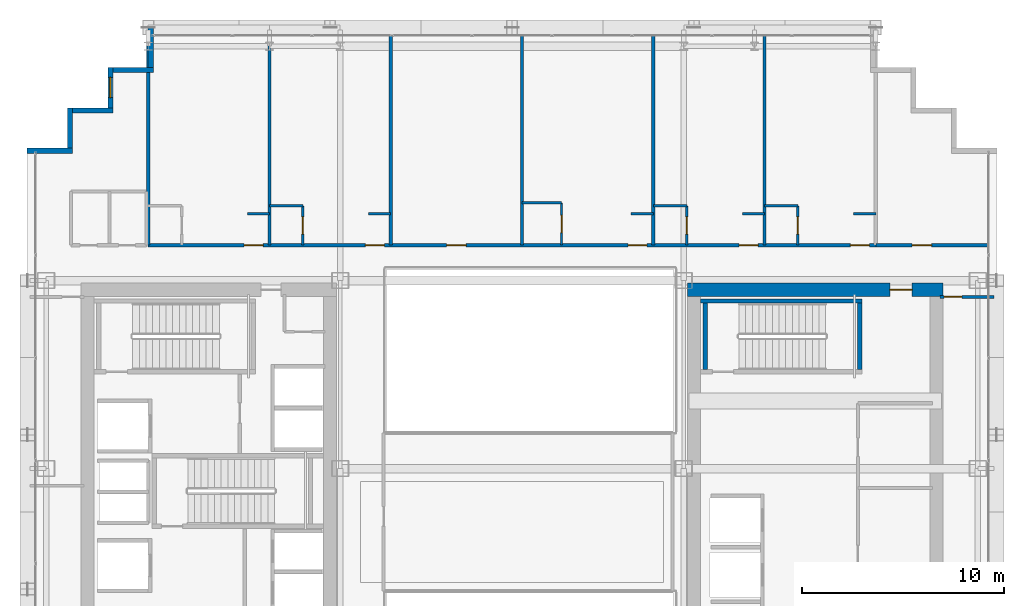
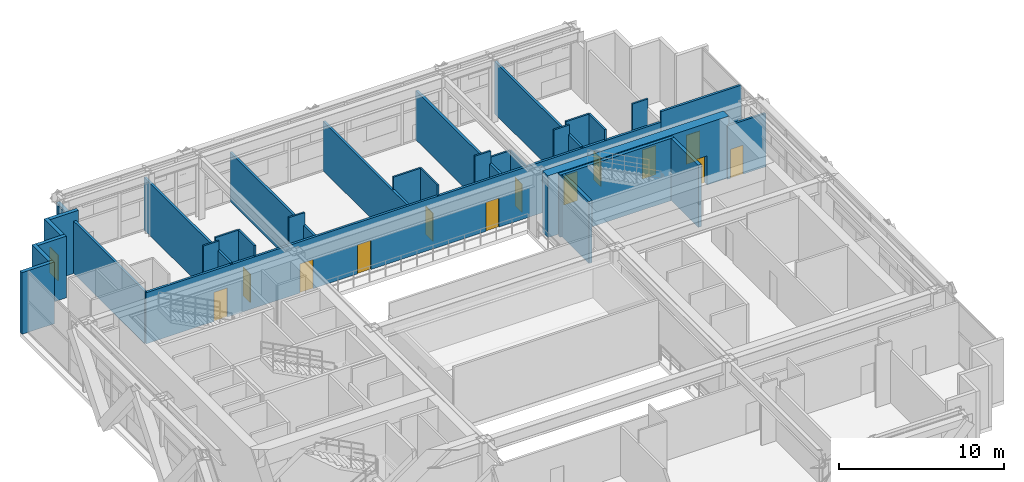
# One storey, part 33 of 38: 32 walls, 13 doors, 1 window, 14 openings.
"""IFC4 building model written with IfcOpenShell, lengths in metres."""

from ifc_helpers import new_model, si_unit, direction, frame, frame_2d, origin, place, context, subcontext, project, spatial, rectangle, extrude, source, transform, mapped, material, layer, layer_set, type_object, element, fill, save


model = new_model("IFC4")

# Units and contexts
model_context = context("Model", 3, precision=1e-05, world=origin(), true_north=direction((0.0, 1.0)))
body_context = subcontext(model_context, "Body", "Model", "MODEL_VIEW")
ifc_project = project(units=[si_unit("LENGTHUNIT", "METRE"), si_unit("AREAUNIT", "SQUARE_METRE"), si_unit("VOLUMEUNIT", "CUBIC_METRE"), si_unit("PLANEANGLEUNIT", "RADIAN"), si_unit("MASSUNIT", "GRAM", prefix="KILO")], contexts=[model_context])

# Site, building, storey
site_placement = place(None, origin())
site = spatial("IfcSite", under=ifc_project, at=site_placement, CompositionType="ELEMENT")
building_placement = place(site_placement, origin())
building = spatial("IfcBuilding", under=site, at=building_placement, Name="Ocotamira Hotel", CompositionType="ELEMENT")
storey_placement = place(building_placement, frame((0.0, 0.0, 92.39990234375)))
storey = spatial("IfcBuildingStorey", under=building, at=storey_placement, Name="L22", CompositionType="ELEMENT", Elevation=92.39990234375)

# Wall, opening, door
ifc_material_1 = material(Name="Concrete C60/75", Category="concrete")
ifc_layer_1 = layer(ifc_material_1, 0.64990234375)
ifc_layer_set_1 = layer_set([ifc_layer_1], Name="Concrete C60/75")
wall_type_1 = type_object("IfcWallType", Name="WL-CORE-650", PredefinedType="SHEAR", material=ifc_layer_set_1)
wall_1_placement = place(storey_placement, frame((40.675048828125, 37.0, 0.0), z_axis=(0.0, 0.0, 1.0), x_axis=(1.0, 0.0, 0.0)))
wall_1 = element("IfcWall", 1, at=wall_1_placement, inside=storey, type_object=wall_type_1, Name="L22 Shear Core Wall ECORE-N", PredefinedType="SHEAR", context=body_context, shape_type="SweptSolid", body=[
    extrude(rectangle(XDim=12.64990234375, YDim=0.64990234375, at=frame_2d((6.324951171875, 0.0))), origin(), (0.0, 0.0, 1.0), 4.56005859375),
])
opening_1_placement = place(wall_1_placement, frame((10.02490234375, 0.0, 0.0)))
opening_1 = element("IfcOpeningElement", 2, at=opening_1_placement, cuts=wall_1, Name="Opening D-FR1", PredefinedType="OPENING", context=body_context, shape_type="SweptSolid", body=[
    extrude(rectangle(XDim=1.10009765625, YDim=2.14990234375, at=frame_2d((0.550048828125, 1.074951171875))), frame((0.0, 0.3349609375, 0.0), z_axis=(0.0, -1.0, 0.0), x_axis=(1.0, 0.0, 0.0)), (0.0, 0.0, 1.0), 0.669921875),
])
ifc_material_2 = material(Name="Fire-rated acoustic timber-veneer door", Category="wood")
door_type_1 = type_object("IfcDoorType", Name="DR-FIRE-1100", OperationType="NOTDEFINED", PredefinedType="DOOR", material=ifc_material_2)
shared_shape_1 = source(origin(), body_context, "Body", "SweptSolid", [
    extrude(rectangle(XDim=1.10009765625, YDim=2.14990234375, at=frame_2d((0.550048828125, 1.074951171875))), frame((0.0, 0.02490234375, 0.0), z_axis=(0.0, -1.0, 0.0), x_axis=(1.0, 0.0, 0.0)), (0.0, 0.0, 1.0), 0.050048828125),
])
door_1_placement = place(opening_1_placement, origin())
door_1 = element("IfcDoor", 3, at=door_1_placement, inside=storey, type_object=door_type_1, Name="L22 Door ID-L22-ELOB-N-D [ID-L22-ELOB-N-D]", OperationType="SINGLE_SWING_LEFT", OverallHeight=2.14990234375, OverallWidth=1.10009765625, PredefinedType="DOOR", context=body_context, shape_type="MappedRepresentation", body=[
    mapped(shared_shape_1, transform((0.0, 0.0, 0.0), scale=1.0)),
])
fill(opening_1, door_1)

# Walls
ifc_material_3 = material(Name="Precast concrete C45/55", Category="concrete")
ifc_layer_2 = layer(ifc_material_3, 0.25)
ifc_layer_set_2 = layer_set([ifc_layer_2], Name="Precast concrete C45/55")
wall_type_2 = type_object("IfcWallType", Name="WL-EXT-SER-250", PredefinedType="SOLIDWALL", material=ifc_layer_set_2)
wall_2_placement = place(storey_placement, frame((14.125, 50.0, 0.0), z_axis=(0.0, 0.0, 1.0), x_axis=(0.0, -1.0, 0.0)))
element("IfcWall", 4, at=wall_2_placement, inside=storey, type_object=wall_type_2, Name="L22 Serrated Corner Wall 13", PredefinedType="SOLIDWALL", context=body_context, shape_type="SweptSolid", body=[
    extrude(rectangle(XDim=2.0, YDim=0.25, at=frame_2d((1.0, 0.0))), origin(), (0.0, 0.0, 1.0), 3.8671875),
])
wall_3_placement = place(storey_placement, frame((14.25, 47.875, 0.0), z_axis=(0.0, 0.0, 1.0), x_axis=(-1.0, 0.0, 0.0)))
element("IfcWall", 5, at=wall_3_placement, inside=storey, type_object=wall_type_2, Name="L22 Serrated Corner Wall 14", PredefinedType="SOLIDWALL", context=body_context, shape_type="SweptSolid", body=[
    extrude(rectangle(XDim=2.0, YDim=0.25, at=frame_2d((1.0, 0.0))), origin(), (0.0, 0.0, 1.0), 4.56005859375),
])

# Wall, opening, window
wall_4_placement = place(storey_placement, frame((12.125, 48.0, 0.0), z_axis=(0.0, 0.0, 1.0), x_axis=(0.0, -1.0, 0.0)))
wall_4 = element("IfcWall", 6, at=wall_4_placement, inside=storey, type_object=wall_type_2, Name="L22 Serrated Corner Wall 15", PredefinedType="SOLIDWALL", context=body_context, shape_type="SweptSolid", body=[
    extrude(rectangle(XDim=2.0, YDim=0.25, at=frame_2d((1.0, 0.0))), origin(), (0.0, 0.0, 1.0), 4.56005859375),
])
opening_2_placement = place(wall_4_placement, frame((0.5, 0.0, 0.85009765625)))
opening_2 = element("IfcOpeningElement", 7, at=opening_2_placement, cuts=wall_4, Name="Opening WN-2", PredefinedType="OPENING", context=body_context, shape_type="SweptSolid", body=[
    extrude(rectangle(XDim=1.0, YDim=1.89990234375, at=frame_2d((0.5, 0.949951171875))), frame((0.0, 0.135009765625, 0.0), z_axis=(0.0, -1.0, 0.0), x_axis=(1.0, 0.0, 0.0)), (0.0, 0.0, 1.0), 0.27001953125),
])
ifc_material_4 = material(Name="Double-silver low-E solar glass", Category="glass")
window_type = type_object("IfcWindowType", Name="WIN-SER-1100", PartitioningType="SINGLE_PANEL", PredefinedType="WINDOW", material=ifc_material_4)
shared_shape_2 = source(origin(), body_context, "Body", "SweptSolid", [
    extrude(rectangle(XDim=1.0, YDim=1.89990234375, at=frame_2d((0.5, 0.949951171875))), frame((0.0, 0.030029296875, 0.0), z_axis=(0.0, -1.0, 0.0), x_axis=(1.0, 0.0, 0.0)), (0.0, 0.0, 1.0), 0.06005859375),
])
window_placement = place(opening_2_placement, origin())
window = element("IfcWindow", 8, at=window_placement, inside=storey, type_object=window_type, Name="L22 Serrated Corner Window 15", OverallHeight=1.89990234375, OverallWidth=1.0, PartitioningType="SINGLE_PANEL", PredefinedType="WINDOW", context=body_context, shape_type="MappedRepresentation", body=[
    mapped(shared_shape_2, transform((0.0, 0.0, 0.0), scale=1.0)),
])
fill(opening_2, window)

# Walls
for number, where, z_axis, x_axis, name in (
    (9, (12.25, 45.875, 0.0), (0.0, 0.0, 1.0), (-1.0, 0.0, 0.0), "L22 Serrated Corner Wall 16"),
    (10, (10.125, 46.0, 0.0), (0.0, 0.0, 1.0), (0.0, -1.0, 0.0), "L22 Serrated Corner Wall 17"),
):
    element("IfcWall", number, at=place(storey_placement, frame(where, z_axis=z_axis, x_axis=x_axis)), inside=storey, type_object=wall_type_2, Name=name, PredefinedType="SOLIDWALL", context=body_context, shape_type="SweptSolid", body=[
        extrude(rectangle(XDim=2.0, YDim=0.25, at=frame_2d((1.0, 0.0))), origin(), (0.0, 0.0, 1.0), 4.56005859375),
    ])
wall_5_placement = place(storey_placement, frame((10.25, 43.875, 0.0), z_axis=(0.0, 0.0, 1.0), x_axis=(-1.0, 0.0, 0.0)))
element("IfcWall", 11, at=wall_5_placement, inside=storey, type_object=wall_type_2, Name="L22 Serrated Corner Wall 18", PredefinedType="SOLIDWALL", context=body_context, shape_type="SweptSolid", body=[
    extrude(rectangle(XDim=2.25, YDim=0.25, at=frame_2d((1.125, 0.0))), origin(), (0.0, 0.0, 1.0), 4.56005859375),
])

# Wall, openings, doors
ifc_material_5 = material(Name="Acoustic double-layer fire gypsum board partition", Category="gypsum")
ifc_layer_3 = layer(ifc_material_5, 0.159912109375)
ifc_layer_set_3 = layer_set([ifc_layer_3], Name="Acoustic double-layer fire gypsum board partition")
wall_type_3 = type_object("IfcWallType", Name="WL-FIRE-160", PredefinedType="PARTITIONING", material=ifc_layer_set_3)
wall_6_placement = place(storey_placement, frame((14.0, 39.199951171875, 0.0), z_axis=(0.0, 0.0, 1.0), x_axis=(1.0, 0.0, 0.0)))
wall_6 = element("IfcWall", 12, at=wall_6_placement, inside=storey, type_object=wall_type_3, Name="L22 Interior Wall PW-L22-L22N-CORRW", PredefinedType="PARTITIONING", context=body_context, shape_type="SweptSolid", body=[
    extrude(rectangle(XDim=36.0, YDim=0.159912109375, at=frame_2d((18.0, 0.0))), origin(), (0.0, 0.0, 1.0), 3.781005859375),
])
opening_3_placement = place(wall_6_placement, frame((4.739990234375, 0.0, 0.0)))
opening_3 = element("IfcOpeningElement", 13, at=opening_3_placement, cuts=wall_6, Name="Opening D-GR1", PredefinedType="OPENING", context=body_context, shape_type="SweptSolid", body=[
    extrude(rectangle(XDim=0.93994140625, YDim=2.14990234375, at=frame_2d((0.469970703125, 1.074951171875))), frame((0.0, 0.08984375, 0.0), z_axis=(0.0, -1.0, 0.0), x_axis=(1.0, 0.0, 0.0)), (0.0, 0.0, 1.0), 0.179931640625),
])
opening_4_placement = place(wall_6_placement, frame((10.739990234375, 0.0, 0.0)))
opening_4 = element("IfcOpeningElement", 14, at=opening_4_placement, cuts=wall_6, Name="Opening D-GR1", PredefinedType="OPENING", context=body_context, shape_type="SweptSolid", body=[
    extrude(rectangle(XDim=0.93994140625, YDim=2.14990234375, at=frame_2d((0.469970703125, 1.074951171875))), frame((0.0, 0.08984375, 0.0), z_axis=(0.0, -1.0, 0.0), x_axis=(1.0, 0.0, 0.0)), (0.0, 0.0, 1.0), 0.179931640625),
])
opening_5_placement = place(wall_6_placement, frame((14.77001953125, 0.0, 0.0)))
opening_5 = element("IfcOpeningElement", 15, at=opening_5_placement, cuts=wall_6, Name="Opening D-SV4", PredefinedType="OPENING", context=body_context, shape_type="SweptSolid", body=[
    extrude(rectangle(XDim=0.9599609375, YDim=2.14990234375, at=frame_2d((0.47998046875, 1.074951171875))), frame((0.0, 0.08984375, 0.0), z_axis=(0.0, -1.0, 0.0), x_axis=(1.0, 0.0, 0.0)), (0.0, 0.0, 1.0), 0.179931640625),
])
opening_6_placement = place(wall_6_placement, frame((23.739990234375, 0.0, 0.0)))
opening_6 = element("IfcOpeningElement", 16, at=opening_6_placement, cuts=wall_6, Name="Opening D-GR1", PredefinedType="OPENING", context=body_context, shape_type="SweptSolid", body=[
    extrude(rectangle(XDim=0.93994140625, YDim=2.14990234375, at=frame_2d((0.469970703125, 1.074951171875))), frame((0.0, 0.08984375, 0.0), z_axis=(0.0, -1.0, 0.0), x_axis=(1.0, 0.0, 0.0)), (0.0, 0.0, 1.0), 0.179931640625),
])
opening_7_placement = place(wall_6_placement, frame((29.239990234375, 0.0, 0.0)))
opening_7 = element("IfcOpeningElement", 17, at=opening_7_placement, cuts=wall_6, Name="Opening D-GR1", PredefinedType="OPENING", context=body_context, shape_type="SweptSolid", body=[
    extrude(rectangle(XDim=0.93994140625, YDim=2.14990234375, at=frame_2d((0.469970703125, 1.074951171875))), frame((0.0, 0.08984375, 0.0), z_axis=(0.0, -1.0, 0.0), x_axis=(1.0, 0.0, 0.0)), (0.0, 0.0, 1.0), 0.179931640625),
])
opening_8_placement = place(wall_6_placement, frame((34.739990234375, 0.0, 0.0)))
opening_8 = element("IfcOpeningElement", 18, at=opening_8_placement, cuts=wall_6, Name="Opening D-GR1", PredefinedType="OPENING", context=body_context, shape_type="SweptSolid", body=[
    extrude(rectangle(XDim=0.93994140625, YDim=2.14990234375, at=frame_2d((0.469970703125, 1.074951171875))), frame((0.0, 0.08984375, 0.0), z_axis=(0.0, -1.0, 0.0), x_axis=(1.0, 0.0, 0.0)), (0.0, 0.0, 1.0), 0.179931640625),
])
ifc_material_6 = material(Name="Fire-rated accessible walnut salon door", Category="wood")
door_type_2 = type_object("IfcDoorType", Name="DR-SERV-960", OperationType="NOTDEFINED", PredefinedType="DOOR", material=ifc_material_6)
shared_shape_3 = source(origin(), body_context, "Body", "SweptSolid", [
    extrude(rectangle(XDim=0.9599609375, YDim=2.14990234375, at=frame_2d((0.47998046875, 1.074951171875))), frame((0.0, 0.02490234375, 0.0), z_axis=(0.0, -1.0, 0.0), x_axis=(1.0, 0.0, 0.0)), (0.0, 0.0, 1.0), 0.050048828125),
])
door_2_placement = place(opening_5_placement, origin())
door_2 = element("IfcDoor", 19, at=door_2_placement, inside=storey, type_object=door_type_2, Name="L22 Door ID-L22-L22N-AMD3 [ID-L22-L22N-AMD3]", OperationType="SINGLE_SWING_LEFT", OverallHeight=2.14990234375, OverallWidth=0.9599609375, PredefinedType="DOOR", context=body_context, shape_type="MappedRepresentation", body=[
    mapped(shared_shape_3, transform((0.0, 0.0, 0.0), scale=1.0)),
])
fill(opening_5, door_2)
ifc_material_7 = material(Name="Solid-core walnut suite entrance fire door", Category="wood")
door_type_3 = type_object("IfcDoorType", Name="DR-GUEST-940", OperationType="NOTDEFINED", PredefinedType="DOOR", material=ifc_material_7)
shared_shape_4 = source(origin(), body_context, "Body", "SweptSolid", [
    extrude(rectangle(XDim=0.93994140625, YDim=2.14990234375, at=frame_2d((0.469970703125, 1.074951171875))), frame((0.0, 0.02490234375, 0.0), z_axis=(0.0, -1.0, 0.0), x_axis=(1.0, 0.0, 0.0)), (0.0, 0.0, 1.0), 0.050048828125),
])
door_3_placement = place(opening_3_placement, origin())
door_3 = element("IfcDoor", 20, at=door_3_placement, inside=storey, type_object=door_type_3, Name="L22 Door ID-L22-L22N-RMD1 [ID-L22-L22N-RMD1]", OperationType="SINGLE_SWING_LEFT", OverallHeight=2.14990234375, OverallWidth=0.93994140625, PredefinedType="DOOR", context=body_context, shape_type="MappedRepresentation", body=[
    mapped(shared_shape_4, transform((0.0, 0.0, 0.0), scale=1.0)),
])
fill(opening_3, door_3)
door_4_placement = place(opening_4_placement, origin())
door_4 = element("IfcDoor", 21, at=door_4_placement, inside=storey, type_object=door_type_3, Name="L22 Door ID-L22-L22N-RMD2 [ID-L22-L22N-RMD2]", OperationType="SINGLE_SWING_RIGHT", OverallHeight=2.14990234375, OverallWidth=0.93994140625, PredefinedType="DOOR", context=body_context, shape_type="MappedRepresentation", body=[
    mapped(shared_shape_4, transform((0.0, 0.0, 0.0), scale=1.0)),
])
fill(opening_4, door_4)
door_5_placement = place(opening_6_placement, origin())
door_5 = element("IfcDoor", 22, at=door_5_placement, inside=storey, type_object=door_type_3, Name="L22 Door ID-L22-L22N-RMD4 [ID-L22-L22N-RMD4]", OperationType="SINGLE_SWING_RIGHT", OverallHeight=2.14990234375, OverallWidth=0.93994140625, PredefinedType="DOOR", context=body_context, shape_type="MappedRepresentation", body=[
    mapped(shared_shape_4, transform((0.0, 0.0, 0.0), scale=1.0)),
])
fill(opening_6, door_5)
door_6_placement = place(opening_7_placement, origin())
door_6 = element("IfcDoor", 23, at=door_6_placement, inside=storey, type_object=door_type_3, Name="L22 Door ID-L22-L22N-RMD5 [ID-L22-L22N-RMD5]", OperationType="SINGLE_SWING_LEFT", OverallHeight=2.14990234375, OverallWidth=0.93994140625, PredefinedType="DOOR", context=body_context, shape_type="MappedRepresentation", body=[
    mapped(shared_shape_4, transform((0.0, 0.0, 0.0), scale=1.0)),
])
fill(opening_7, door_6)
door_7_placement = place(opening_8_placement, origin())
door_7 = element("IfcDoor", 24, at=door_7_placement, inside=storey, type_object=door_type_3, Name="L22 Door ID-L22-L22N-RMD6 [ID-L22-L22N-RMD6]", OperationType="SINGLE_SWING_RIGHT", OverallHeight=2.14990234375, OverallWidth=0.93994140625, PredefinedType="DOOR", context=body_context, shape_type="MappedRepresentation", body=[
    mapped(shared_shape_4, transform((0.0, 0.0, 0.0), scale=1.0)),
])
fill(opening_8, door_7)

# Wall, opening, door
wall_7_placement = place(storey_placement, frame((50.0, 39.199951171875, 0.0), z_axis=(0.0, 0.0, 1.0), x_axis=(1.0, 0.0, 0.0)))
wall_7 = element("IfcWall", 25, at=wall_7_placement, inside=storey, type_object=wall_type_3, Name="L22 Interior Wall PW-L22-L22-CNESW", PredefinedType="PARTITIONING", context=body_context, shape_type="SweptSolid", body=[
    extrude(rectangle(XDim=5.6201171875, YDim=0.159912109375, at=frame_2d((2.81005859375, 0.0))), origin(), (0.0, 0.0, 1.0), 4.56005859375),
])
opening_9_placement = place(wall_7_placement, frame((1.800048828125, 0.0, 0.0)))
opening_9 = element("IfcOpeningElement", 26, at=opening_9_placement, cuts=wall_7, Name="Opening D-SV4", PredefinedType="OPENING", context=body_context, shape_type="SweptSolid", body=[
    extrude(rectangle(XDim=0.9599609375, YDim=2.14990234375, at=frame_2d((0.47998046875, 1.074951171875))), frame((0.0, 0.08984375, 0.0), z_axis=(0.0, -1.0, 0.0), x_axis=(1.0, 0.0, 0.0)), (0.0, 0.0, 1.0), 0.179931640625),
])
door_8_placement = place(opening_9_placement, origin())
door_8 = element("IfcDoor", 27, at=door_8_placement, inside=storey, type_object=door_type_2, Name="L22 Door ID-L22-L22-CNESD [ID-L22-L22-CNESD]", OperationType="SINGLE_SWING_LEFT", OverallHeight=2.14990234375, OverallWidth=0.9599609375, PredefinedType="DOOR", context=body_context, shape_type="MappedRepresentation", body=[
    mapped(shared_shape_3, transform((0.0, 0.0, 0.0), scale=1.0)),
])
fill(opening_9, door_8)

# Wall
ifc_material_8 = material(Name="Moisture-resistant en-suite tile and gypsum partition", Category="gypsum")
ifc_layer_4 = layer(ifc_material_8, 0.1201171875)
ifc_layer_set_4 = layer_set([ifc_layer_4], Name="Moisture-resistant en-suite tile and gypsum partition")
wall_type_4 = type_object("IfcWallType", Name="WL-PART-120", PredefinedType="PARTITIONING", material=ifc_layer_set_4)
wall_8_placement = place(storey_placement, frame((18.89990234375, 40.75, 0.0), z_axis=(0.0, 0.0, 1.0), x_axis=(1.0, 0.0, 0.0)))
element("IfcWall", 28, at=wall_8_placement, inside=storey, type_object=wall_type_4, Name="L22 Interior Wall PW-L22-L22N-DRN1", PredefinedType="PARTITIONING", context=body_context, shape_type="SweptSolid", body=[
    extrude(rectangle(XDim=1.10009765625, YDim=0.1201171875, at=frame_2d((0.550048828125, 0.0))), origin(), (0.0, 0.0, 1.0), 4.56005859375),
])

# Wall, opening, door
wall_9_placement = place(storey_placement, frame((21.64990234375, 39.199951171875, 0.0), z_axis=(0.0, 0.0, 1.0), x_axis=(0.0, 1.0, 0.0)))
wall_9 = element("IfcWall", 29, at=wall_9_placement, inside=storey, type_object=wall_type_4, Name="L22 Interior Wall PW-L22-L22N-BAE2", PredefinedType="PARTITIONING", context=body_context, shape_type="SweptSolid", body=[
    extrude(rectangle(XDim=1.949951171875, YDim=0.1201171875, at=frame_2d((0.97509765625, 0.0))), origin(), (0.0, 0.0, 1.0), 4.56005859375),
])
opening_10_placement = place(wall_9_placement, frame((0.544921875, 0.0, 0.0)))
opening_10 = element("IfcOpeningElement", 30, at=opening_10_placement, cuts=wall_9, Name="Opening D-BA1", PredefinedType="OPENING", context=body_context, shape_type="SweptSolid", body=[
    extrude(rectangle(XDim=0.860107421875, YDim=2.10009765625, at=frame_2d((0.43017578125, 1.050048828125))), frame((0.0, 0.070068359375, 0.0), z_axis=(0.0, -1.0, 0.0), x_axis=(1.0, 0.0, 0.0)), (0.0, 0.0, 1.0), 0.14013671875),
])
ifc_material_9 = material(Name="Moisture-sealed en-suite timber door", Category="wood")
door_type_4 = type_object("IfcDoorType", Name="DR-BATH-860", OperationType="NOTDEFINED", PredefinedType="DOOR", material=ifc_material_9)
shared_shape_5 = source(origin(), body_context, "Body", "SweptSolid", [
    extrude(rectangle(XDim=0.860107421875, YDim=2.10009765625, at=frame_2d((0.43017578125, 1.050048828125))), frame((0.0, 0.02490234375, 0.0), z_axis=(0.0, -1.0, 0.0), x_axis=(1.0, 0.0, 0.0)), (0.0, 0.0, 1.0), 0.050048828125),
])
door_9_placement = place(opening_10_placement, origin())
door_9 = element("IfcDoor", 31, at=door_9_placement, inside=storey, type_object=door_type_4, Name="L22 Door ID-L22-L22N-BAD2 [ID-L22-L22N-BAD2]", OperationType="SINGLE_SWING_LEFT", OverallHeight=2.10009765625, OverallWidth=0.860107421875, PredefinedType="DOOR", context=body_context, shape_type="MappedRepresentation", body=[
    mapped(shared_shape_5, transform((0.0, 0.0, 0.0), scale=1.0)),
])
fill(opening_10, door_9)

# Walls
wall_10_placement = place(storey_placement, frame((20.0, 41.14990234375, 0.0), z_axis=(0.0, 0.0, 1.0), x_axis=(1.0, 0.0, 0.0)))
element("IfcWall", 32, at=wall_10_placement, inside=storey, type_object=wall_type_4, Name="L22 Interior Wall PW-L22-L22N-BAN2", PredefinedType="PARTITIONING", context=body_context, shape_type="SweptSolid", body=[
    extrude(rectangle(XDim=1.64990234375, YDim=0.1201171875, at=frame_2d((0.824951171875, 0.0))), origin(), (0.0, 0.0, 1.0), 4.56005859375),
])
wall_11_placement = place(storey_placement, frame((24.89990234375, 40.75, 0.0), z_axis=(0.0, 0.0, 1.0), x_axis=(1.0, 0.0, 0.0)))
element("IfcWall", 33, at=wall_11_placement, inside=storey, type_object=wall_type_4, Name="L22 Interior Wall PW-L22-L22N-DRN2", PredefinedType="PARTITIONING", context=body_context, shape_type="SweptSolid", body=[
    extrude(rectangle(XDim=1.10009765625, YDim=0.1201171875, at=frame_2d((0.550048828125, 0.0))), origin(), (0.0, 0.0, 1.0), 4.56005859375),
])

# Wall, opening, door
wall_12_placement = place(storey_placement, frame((34.449951171875, 39.199951171875, 0.0), z_axis=(0.0, 0.0, 1.0), x_axis=(0.0, 1.0, 0.0)))
wall_12 = element("IfcWall", 34, at=wall_12_placement, inside=storey, type_object=wall_type_4, Name="L22 Interior Wall PW-L22-L22N-BAE4", PredefinedType="PARTITIONING", context=body_context, shape_type="SweptSolid", body=[
    extrude(rectangle(XDim=2.10009765625, YDim=0.1201171875, at=frame_2d((1.050048828125, 0.0))), origin(), (0.0, 0.0, 1.0), 4.56005859375),
])
opening_11_placement = place(wall_12_placement, frame((0.6201171875, 0.0, 0.0)))
opening_11 = element("IfcOpeningElement", 35, at=opening_11_placement, cuts=wall_12, Name="Opening D-BA1", PredefinedType="OPENING", context=body_context, shape_type="SweptSolid", body=[
    extrude(rectangle(XDim=0.860107421875, YDim=2.10009765625, at=frame_2d((0.43017578125, 1.050048828125))), frame((0.0, 0.070068359375, 0.0), z_axis=(0.0, -1.0, 0.0), x_axis=(1.0, 0.0, 0.0)), (0.0, 0.0, 1.0), 0.14013671875),
])
door_10_placement = place(opening_11_placement, origin())
door_10 = element("IfcDoor", 36, at=door_10_placement, inside=storey, type_object=door_type_4, Name="L22 Door ID-L22-L22N-BAD4 [ID-L22-L22N-BAD4]", OperationType="SINGLE_SWING_LEFT", OverallHeight=2.10009765625, OverallWidth=0.860107421875, PredefinedType="DOOR", context=body_context, shape_type="MappedRepresentation", body=[
    mapped(shared_shape_5, transform((0.0, 0.0, 0.0), scale=1.0)),
])
fill(opening_11, door_10)

# Walls
wall_13_placement = place(storey_placement, frame((32.5, 41.300048828125, 0.0), z_axis=(0.0, 0.0, 1.0), x_axis=(1.0, 0.0, 0.0)))
element("IfcWall", 37, at=wall_13_placement, inside=storey, type_object=wall_type_4, Name="L22 Interior Wall PW-L22-L22N-BAN4", PredefinedType="PARTITIONING", context=body_context, shape_type="SweptSolid", body=[
    extrude(rectangle(XDim=1.949951171875, YDim=0.1201171875, at=frame_2d((0.97509765625, 0.0))), origin(), (0.0, 0.0, 1.0), 4.56005859375),
])
wall_14_placement = place(storey_placement, frame((37.89990234375, 40.75, 0.0), z_axis=(0.0, 0.0, 1.0), x_axis=(1.0, 0.0, 0.0)))
element("IfcWall", 38, at=wall_14_placement, inside=storey, type_object=wall_type_4, Name="L22 Interior Wall PW-L22-L22N-DRN4", PredefinedType="PARTITIONING", context=body_context, shape_type="SweptSolid", body=[
    extrude(rectangle(XDim=1.10009765625, YDim=0.1201171875, at=frame_2d((0.550048828125, 0.0))), origin(), (0.0, 0.0, 1.0), 4.56005859375),
])

# Wall, opening, door
wall_15_placement = place(storey_placement, frame((40.64990234375, 39.199951171875, 0.0), z_axis=(0.0, 0.0, 1.0), x_axis=(0.0, 1.0, 0.0)))
wall_15 = element("IfcWall", 39, at=wall_15_placement, inside=storey, type_object=wall_type_4, Name="L22 Interior Wall PW-L22-L22N-BAE5", PredefinedType="PARTITIONING", context=body_context, shape_type="SweptSolid", body=[
    extrude(rectangle(XDim=1.949951171875, YDim=0.1201171875, at=frame_2d((0.97509765625, 0.0))), origin(), (0.0, 0.0, 1.0), 3.781005859375),
])
opening_12_placement = place(wall_15_placement, frame((0.544921875, 0.0, 0.0)))
opening_12 = element("IfcOpeningElement", 40, at=opening_12_placement, cuts=wall_15, Name="Opening D-BA1", PredefinedType="OPENING", context=body_context, shape_type="SweptSolid", body=[
    extrude(rectangle(XDim=0.860107421875, YDim=2.10009765625, at=frame_2d((0.43017578125, 1.050048828125))), frame((0.0, 0.070068359375, 0.0), z_axis=(0.0, -1.0, 0.0), x_axis=(1.0, 0.0, 0.0)), (0.0, 0.0, 1.0), 0.14013671875),
])
door_11_placement = place(opening_12_placement, origin())
door_11 = element("IfcDoor", 41, at=door_11_placement, inside=storey, type_object=door_type_4, Name="L22 Door ID-L22-L22N-BAD5 [ID-L22-L22N-BAD5]", OperationType="SINGLE_SWING_RIGHT", OverallHeight=2.10009765625, OverallWidth=0.860107421875, PredefinedType="DOOR", context=body_context, shape_type="MappedRepresentation", body=[
    mapped(shared_shape_5, transform((0.0, 0.0, 0.0), scale=1.0)),
])
fill(opening_12, door_11)

# Walls
wall_16_placement = place(storey_placement, frame((39.0, 41.14990234375, 0.0), z_axis=(0.0, 0.0, 1.0), x_axis=(1.0, 0.0, 0.0)))
element("IfcWall", 42, at=wall_16_placement, inside=storey, type_object=wall_type_4, Name="L22 Interior Wall PW-L22-L22N-BAN5", PredefinedType="PARTITIONING", context=body_context, shape_type="SweptSolid", body=[
    extrude(rectangle(XDim=1.64990234375, YDim=0.1201171875, at=frame_2d((0.824951171875, 0.0))), origin(), (0.0, 0.0, 1.0), 3.781005859375),
])
wall_17_placement = place(storey_placement, frame((43.39990234375, 40.75, 0.0), z_axis=(0.0, 0.0, 1.0), x_axis=(1.0, 0.0, 0.0)))
element("IfcWall", 43, at=wall_17_placement, inside=storey, type_object=wall_type_4, Name="L22 Interior Wall PW-L22-L22N-DRN5", PredefinedType="PARTITIONING", context=body_context, shape_type="SweptSolid", body=[
    extrude(rectangle(XDim=1.10009765625, YDim=0.1201171875, at=frame_2d((0.550048828125, 0.0))), origin(), (0.0, 0.0, 1.0), 4.56005859375),
])

# Wall, opening, door
wall_18_placement = place(storey_placement, frame((46.14990234375, 39.199951171875, 0.0), z_axis=(0.0, 0.0, 1.0), x_axis=(0.0, 1.0, 0.0)))
wall_18 = element("IfcWall", 44, at=wall_18_placement, inside=storey, type_object=wall_type_4, Name="L22 Interior Wall PW-L22-L22N-BAE6", PredefinedType="PARTITIONING", context=body_context, shape_type="SweptSolid", body=[
    extrude(rectangle(XDim=1.949951171875, YDim=0.1201171875, at=frame_2d((0.97509765625, 0.0))), origin(), (0.0, 0.0, 1.0), 4.56005859375),
])
opening_13_placement = place(wall_18_placement, frame((0.544921875, 0.0, 0.0)))
opening_13 = element("IfcOpeningElement", 45, at=opening_13_placement, cuts=wall_18, Name="Opening D-BA1", PredefinedType="OPENING", context=body_context, shape_type="SweptSolid", body=[
    extrude(rectangle(XDim=0.860107421875, YDim=2.10009765625, at=frame_2d((0.43017578125, 1.050048828125))), frame((0.0, 0.070068359375, 0.0), z_axis=(0.0, -1.0, 0.0), x_axis=(1.0, 0.0, 0.0)), (0.0, 0.0, 1.0), 0.14013671875),
])
door_12_placement = place(opening_13_placement, origin())
door_12 = element("IfcDoor", 46, at=door_12_placement, inside=storey, type_object=door_type_4, Name="L22 Door ID-L22-L22N-BAD6 [ID-L22-L22N-BAD6]", OperationType="SINGLE_SWING_LEFT", OverallHeight=2.10009765625, OverallWidth=0.860107421875, PredefinedType="DOOR", context=body_context, shape_type="MappedRepresentation", body=[
    mapped(shared_shape_5, transform((0.0, 0.0, 0.0), scale=1.0)),
])
fill(opening_13, door_12)

# Walls
wall_19_placement = place(storey_placement, frame((44.5, 41.14990234375, 0.0), z_axis=(0.0, 0.0, 1.0), x_axis=(1.0, 0.0, 0.0)))
element("IfcWall", 47, at=wall_19_placement, inside=storey, type_object=wall_type_4, Name="L22 Interior Wall PW-L22-L22N-BAN6", PredefinedType="PARTITIONING", context=body_context, shape_type="SweptSolid", body=[
    extrude(rectangle(XDim=1.64990234375, YDim=0.1201171875, at=frame_2d((0.824951171875, 0.0))), origin(), (0.0, 0.0, 1.0), 4.56005859375),
])
wall_20_placement = place(storey_placement, frame((48.89990234375, 40.75, 0.0), z_axis=(0.0, 0.0, 1.0), x_axis=(1.0, 0.0, 0.0)))
element("IfcWall", 48, at=wall_20_placement, inside=storey, type_object=wall_type_4, Name="L22 Interior Wall PW-L22-L22N-DRN6", PredefinedType="PARTITIONING", context=body_context, shape_type="SweptSolid", body=[
    extrude(rectangle(XDim=1.10009765625, YDim=0.1201171875, at=frame_2d((0.550048828125, 0.0))), origin(), (0.0, 0.0, 1.0), 4.56005859375),
])

# Wall, opening, door
ifc_material_10 = material(Name="Acoustic hospitality gypsum board partition", Category="gypsum")
ifc_layer_5 = layer(ifc_material_10, 0.14990234375)
ifc_layer_set_5 = layer_set([ifc_layer_5], Name="Acoustic hospitality gypsum board partition")
wall_type_5 = type_object("IfcWallType", Name="WL-PART-150", PredefinedType="PARTITIONING", material=ifc_layer_set_5)
wall_21_placement = place(storey_placement, frame((53.179931640625, 36.639892578125, 0.0), z_axis=(0.0, 0.0, 1.0), x_axis=(1.0, 0.0, 0.0)))
wall_21 = element("IfcWall", 49, at=wall_21_placement, inside=storey, type_object=wall_type_5, Name="L22 Interior Wall PW-L22-L22E-WN", PredefinedType="PARTITIONING", context=body_context, shape_type="SweptSolid", body=[
    extrude(rectangle(XDim=2.66015625, YDim=0.14990234375, at=frame_2d((1.330078125, 0.0))), origin(), (0.0, 0.0, 1.0), 3.943115234375),
])
opening_14_placement = place(wall_21_placement, frame((0.199951171875, 0.0, 0.0)))
opening_14 = element("IfcOpeningElement", 50, at=opening_14_placement, cuts=wall_21, Name="Opening D-SV2", PredefinedType="OPENING", context=body_context, shape_type="SweptSolid", body=[
    extrude(rectangle(XDim=0.8798828125, YDim=2.14990234375, at=frame_2d((0.43994140625, 1.074951171875))), frame((0.0, 0.0849609375, 0.0), z_axis=(0.0, -1.0, 0.0), x_axis=(1.0, 0.0, 0.0)), (0.0, 0.0, 1.0), 0.169921875),
])
ifc_material_11 = material(Name="Fire-rated painted steel service door", Category="steel")
door_type_5 = type_object("IfcDoorType", Name="DR-SERV-880", OperationType="NOTDEFINED", PredefinedType="DOOR", material=ifc_material_11)
shared_shape_6 = source(origin(), body_context, "Body", "SweptSolid", [
    extrude(rectangle(XDim=0.8798828125, YDim=2.14990234375, at=frame_2d((0.43994140625, 1.074951171875))), frame((0.0, 0.02490234375, 0.0), z_axis=(0.0, -1.0, 0.0), x_axis=(1.0, 0.0, 0.0)), (0.0, 0.0, 1.0), 0.050048828125),
])
door_13_placement = place(opening_14_placement, origin())
door_13 = element("IfcDoor", 51, at=door_13_placement, inside=storey, type_object=door_type_5, Name="L22 Door ID-L22-L22E-DN [ID-L22-L22E-DN]", OperationType="SINGLE_SWING_LEFT", OverallHeight=2.14990234375, OverallWidth=0.8798828125, PredefinedType="DOOR", context=body_context, shape_type="MappedRepresentation", body=[
    mapped(shared_shape_6, transform((0.0, 0.0, 0.0), scale=1.0)),
])
fill(opening_14, door_13)

# Walls
ifc_material_12 = material(Name="Acoustic double-stud hospitality gypsum partition", Category="gypsum")
ifc_layer_6 = layer(ifc_material_12, 0.159912109375)
ifc_layer_set_6 = layer_set([ifc_layer_6], Name="Acoustic double-stud hospitality gypsum partition")
wall_type_6 = type_object("IfcWallType", Name="WL-PART-160", PredefinedType="PARTITIONING", material=ifc_layer_set_6)
for number, where, z_axis, x_axis, name in (
    (52, (14.0, 39.199951171875, 0.0), (0.0, 0.0, 1.0), (0.0, 1.0, 0.0), "L22 Interior Wall PW-L22-L22N-PW0"),
    (53, (20.0, 39.199951171875, 0.0), (0.0, 0.0, 1.0), (0.0, 1.0, 0.0), "L22 Interior Wall PW-L22-L22N-PW1"),
):
    element("IfcWall", number, at=place(storey_placement, frame(where, z_axis=z_axis, x_axis=x_axis)), inside=storey, type_object=wall_type_6, Name=name, PredefinedType="PARTITIONING", context=body_context, shape_type="SweptSolid", body=[
        extrude(rectangle(XDim=10.43994140625, YDim=0.159912109375, at=frame_2d((5.219970703125, 0.0))), origin(), (0.0, 0.0, 1.0), 3.8671875),
    ])
for number, where, z_axis, x_axis, name in (
    (54, (26.0, 39.199951171875, 0.0), (0.0, 0.0, 1.0), (0.0, 1.0, 0.0), "L22 Interior Wall PW-L22-L22N-PW2"),
    (55, (32.5, 39.199951171875, 0.0), (0.0, 0.0, 1.0), (0.0, 1.0, 0.0), "L22 Interior Wall PW-L22-L22N-PW3"),
):
    element("IfcWall", number, at=place(storey_placement, frame(where, z_axis=z_axis, x_axis=x_axis)), inside=storey, type_object=wall_type_6, Name=name, PredefinedType="PARTITIONING", context=body_context, shape_type="SweptSolid", body=[
        extrude(rectangle(XDim=10.43994140625, YDim=0.159912109375, at=frame_2d((5.219970703125, 0.0))), origin(), (0.0, 0.0, 1.0), 3.633056640625),
    ])
wall_22_placement = place(storey_placement, frame((44.5, 39.199951171875, 0.0), z_axis=(0.0, 0.0, 1.0), x_axis=(0.0, 1.0, 0.0)))
element("IfcWall", 56, at=wall_22_placement, inside=storey, type_object=wall_type_6, Name="L22 Interior Wall PW-L22-L22N-PW5", PredefinedType="PARTITIONING", context=body_context, shape_type="SweptSolid", body=[
    extrude(rectangle(XDim=10.43994140625, YDim=0.159912109375, at=frame_2d((5.219970703125, 0.0))), origin(), (0.0, 0.0, 1.0), 3.8671875),
])
ifc_material_13 = material(Name="Double-stud suite party gypsum partition", Category="gypsum")
ifc_layer_7 = layer(ifc_material_13, 0.175048828125)
ifc_layer_set_7 = layer_set([ifc_layer_7], Name="Double-stud suite party gypsum partition")
wall_type_7 = type_object("IfcWallType", Name="WL-PART-175", PredefinedType="PARTITIONING", material=ifc_layer_set_7)
wall_23_placement = place(storey_placement, frame((39.0, 39.199951171875, 0.0), z_axis=(0.0, 0.0, 1.0), x_axis=(0.0, 1.0, 0.0)))
element("IfcWall", 57, at=wall_23_placement, inside=storey, type_object=wall_type_7, Name="L22 Interior Wall PW-L22-L22N-PW4", PredefinedType="PARTITIONING", context=body_context, shape_type="SweptSolid", body=[
    extrude(rectangle(XDim=10.43994140625, YDim=0.175048828125, at=frame_2d((5.219970703125, 0.0))), origin(), (0.0, 0.0, 1.0), 3.633056640625),
])
ifc_material_14 = material(Name="Concrete C50/60", Category="concrete")
ifc_layer_8 = layer(ifc_material_14, 0.219970703125)
ifc_layer_set_8 = layer_set([ifc_layer_8], Name="Concrete C50/60")
wall_type_8 = type_object("IfcWallType", Name="WL-STAIR-220", PredefinedType="SHEAR", material=ifc_layer_set_8)
wall_24_placement = place(storey_placement, frame((41.324951171875, 36.43994140625, 0.0), z_axis=(0.0, 0.0, 1.0), x_axis=(1.0, 0.0, 0.0)))
element("IfcWall", 58, at=wall_24_placement, inside=storey, type_object=wall_type_8, Name="L22 Stair Shaft Structural Wall ST-4-N", PredefinedType="SHEAR", context=body_context, shape_type="SweptSolid", body=[
    extrude(rectangle(XDim=7.985107421875, YDim=0.219970703125, at=frame_2d((3.99267578125, 0.0))), origin(), (0.0, 0.0, 1.0), 4.60009765625),
])
for number, where, z_axis, x_axis, name in (
    (59, (41.56005859375, 33.050048828125, 0.0), (0.0, 0.0, 1.0), (0.0, 1.0, 0.0), "L22 Stair Shaft Structural Wall ST-4-W"),
    (60, (49.199951171875, 33.050048828125, 0.0), (0.0, 0.0, 1.0), (0.0, 1.0, 0.0), "L22 Stair Shaft Structural Wall ST-4-E"),
):
    element("IfcWall", number, at=place(storey_placement, frame(where, z_axis=z_axis, x_axis=x_axis)), inside=storey, type_object=wall_type_8, Name=name, PredefinedType="SHEAR", context=body_context, shape_type="SweptSolid", body=[
        extrude(rectangle(XDim=3.280029296875, YDim=0.219970703125, at=frame_2d((1.64013671875, 0.0))), origin(), (0.0, 0.0, 1.0), 4.60009765625),
    ])

save(model, "model.ifc")
